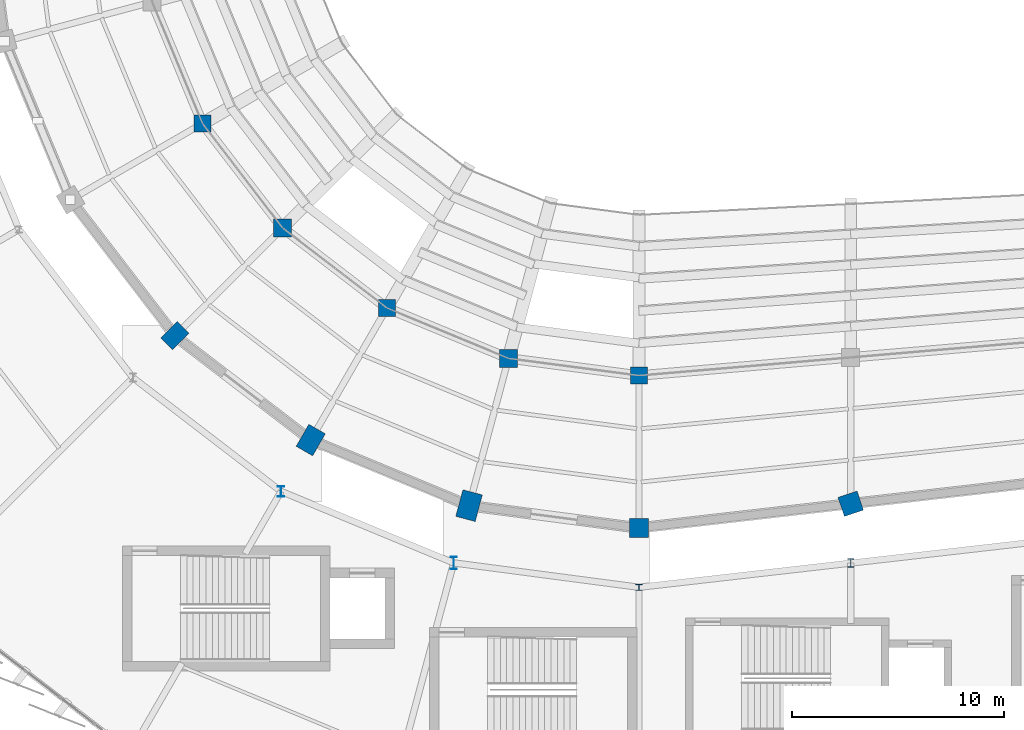
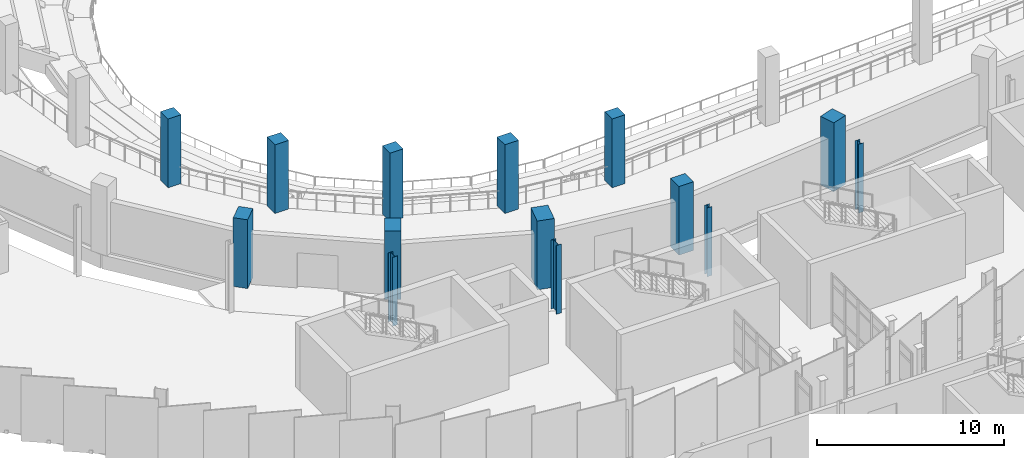
# One storey, part 8 of 134: 14 columns.
"""IFC4 building model written with IfcOpenShell, lengths in metres."""

from ifc_helpers import new_model, si_unit, direction, frame, origin, origin_2d, place, context, subcontext, project, spatial, rectangle, i_section, extrude, material, material_profile, profile_set, type_object, element, save


model = new_model("IFC4")

# Units and contexts
model_context = context("Model", 3, precision=1e-05, world=origin(), true_north=direction((0.0, 1.0)))
body_context = subcontext(model_context, "Body", "Model", "MODEL_VIEW")
ifc_project = project(units=[si_unit("LENGTHUNIT", "METRE"), si_unit("AREAUNIT", "SQUARE_METRE"), si_unit("VOLUMEUNIT", "CUBIC_METRE"), si_unit("PLANEANGLEUNIT", "RADIAN"), si_unit("MASSUNIT", "GRAM", prefix="KILO")], contexts=[model_context])

# Site, building, storey
site_placement = place(None, origin())
site = spatial("IfcSite", under=ifc_project, at=site_placement, CompositionType="ELEMENT")
building_placement = place(site_placement, origin())
building = spatial("IfcBuilding", under=site, at=building_placement, Name="Sohan Crest Arena", CompositionType="ELEMENT")
storey_placement = place(building_placement, frame((0.0, 0.0, 4.5)))
storey = spatial("IfcBuildingStorey", under=building, at=storey_placement, Name="L01", CompositionType="ELEMENT", Elevation=4.5)

# Columns
ifc_material_1 = material(Name="Concrete C40/50", Category="concrete")
ifc_material_profile_1 = material_profile(ifc_material_1, rectangle(XDim=0.800048828125, YDim=0.800048828125, at=origin_2d()), Name="RC 800x800")
ifc_profile_set_1 = profile_set([ifc_material_profile_1], Name="Concrete C40/50")
column_type_1 = type_object("IfcColumnType", Name="STR-COL-C05", PredefinedType="COLUMN", material=ifc_profile_set_1)
for number, where, z_axis, x_axis, name in (
    (1, (77.388916015625, 66.10009765625, 0.0), (0.0, 0.0, 1.0), (1.0, 0.0, 0.0), "Structural column COL-V1M-09-L01"),
    (2, (86.10009765625, 57.388916015625, 0.0), (0.0, 0.0, 1.0), (1.0, 0.0, 0.0), "Structural column COL-V1M-11-L01"),
    (3, (98.0, 54.199951171875, 0.0), (0.0, 0.0, 1.0), (1.0, 0.0, 0.0), "Structural column COL-V1M-13-L01"),
):
    element("IfcColumn", number, at=place(storey_placement, frame(where, z_axis=z_axis, x_axis=x_axis)), inside=storey, type_object=column_type_1, Name=name, PredefinedType="COLUMN", context=body_context, shape_type="SweptSolid", body=[
        extrude(rectangle(XDim=0.800048828125, YDim=0.800048828125, at=origin_2d()), origin(), (0.0, 0.0, 1.0), 4.5),
    ])
ifc_material_profile_2 = material_profile(ifc_material_1, rectangle(XDim=0.85009765625, YDim=0.85009765625, at=origin_2d()), Name="RC 850x850")
ifc_profile_set_2 = profile_set([ifc_material_profile_2], Name="Concrete C40/50")
column_type_2 = type_object("IfcColumnType", Name="STR-COL-C06", PredefinedType="COLUMN", material=ifc_profile_set_2)
for number, where, z_axis, x_axis, name in (
    (4, (81.1708984375, 61.1708984375, 0.0), (0.0, 0.0, 1.0), (1.0, 0.0, 0.0), "Structural column COL-V1M-10-L01"),
    (5, (91.840087890625, 55.010986328125, 0.0), (0.0, 0.0, 1.0), (1.0, 0.0, 0.0), "Structural column COL-V1M-12-L01"),
):
    element("IfcColumn", number, at=place(storey_placement, frame(where, z_axis=z_axis, x_axis=x_axis)), inside=storey, type_object=column_type_2, Name=name, PredefinedType="COLUMN", context=body_context, shape_type="SweptSolid", body=[
        extrude(rectangle(XDim=0.85009765625, YDim=0.85009765625, at=origin_2d()), origin(), (0.0, 0.0, 1.0), 4.5),
    ])
ifc_material_profile_3 = material_profile(ifc_material_1, rectangle(XDim=0.89990234375, YDim=0.89990234375, at=origin_2d()), Name="RC 900x900")
ifc_profile_set_3 = profile_set([ifc_material_profile_3], Name="Concrete C40/50")
column_type_3 = type_object("IfcColumnType", Name="STR-COL-C07", PredefinedType="COLUMN", material=ifc_profile_set_3)
column_1_placement = place(storey_placement, frame((98.0, 47.0, 0.0), z_axis=(0.0, 0.0, 1.0), x_axis=(0.0, 1.0, 0.0)))
element("IfcColumn", 6, at=column_1_placement, inside=storey, type_object=column_type_3, Name="Structural column COL-V1R-13-L01", PredefinedType="COLUMN", context=body_context, shape_type="SweptSolid", body=[
    extrude(rectangle(XDim=0.89990234375, YDim=0.89990234375, at=origin_2d()), origin(), (0.0, 0.0, 1.0), 4.5),
])
ifc_material_profile_4 = material_profile(ifc_material_1, rectangle(XDim=0.949951171875, YDim=0.949951171875, at=origin_2d()), Name="RC 950x950")
ifc_profile_set_4 = profile_set([ifc_material_profile_4], Name="Concrete C40/50")
column_type_4 = type_object("IfcColumnType", Name="STR-COL-C08", PredefinedType="COLUMN", material=ifc_profile_set_4)
column_2_placement = place(storey_placement, frame((108.0, 48.14306640625, 0.0), z_axis=(0.0, 0.0, 1.0), x_axis=(-0.317304656405, 0.948323655206, 0.0)))
element("IfcColumn", 7, at=column_2_placement, inside=storey, type_object=column_type_4, Name="Structural column COL-V1R-14-L01", PredefinedType="COLUMN", context=body_context, shape_type="SweptSolid", body=[
    extrude(rectangle(XDim=0.949951171875, YDim=0.949951171875, at=origin_2d()), origin(), (0.0, 0.0, 1.0), 4.5),
])
ifc_material_profile_5 = material_profile(ifc_material_1, rectangle(XDim=1.10009765625, YDim=0.800048828125, at=origin_2d()), Name="RC 1100x800")
ifc_profile_set_5 = profile_set([ifc_material_profile_5], Name="Concrete C40/50")
column_type_5 = type_object("IfcColumnType", Name="STR-COL-C10", PredefinedType="COLUMN", material=ifc_profile_set_5)
column_3_placement = place(storey_placement, frame((76.080078125, 56.080078125, 0.0), z_axis=(0.0, 0.0, 1.0), x_axis=(0.707106781187, 0.707106781187, 0.0)))
element("IfcColumn", 8, at=column_3_placement, inside=storey, type_object=column_type_5, Name="Structural column COL-V1R-10-L01", PredefinedType="COLUMN", context=body_context, shape_type="SweptSolid", body=[
    extrude(rectangle(XDim=1.10009765625, YDim=0.800048828125, at=origin_2d()), origin(), (0.0, 0.0, 1.0), 4.5),
])
ifc_material_profile_6 = material_profile(ifc_material_1, rectangle(XDim=1.199951171875, YDim=0.89990234375, at=origin_2d()), Name="RC 1200x900")
ifc_profile_set_6 = profile_set([ifc_material_profile_6], Name="Concrete C40/50")
column_type_6 = type_object("IfcColumnType", Name="STR-COL-C11", PredefinedType="COLUMN", material=ifc_profile_set_6)
column_4_placement = place(storey_placement, frame((82.5, 51.153076171875, 0.0), z_axis=(0.0, 0.0, 1.0), x_axis=(0.5, 0.866025403784, 0.0)))
element("IfcColumn", 9, at=column_4_placement, inside=storey, type_object=column_type_6, Name="Structural column COL-V1R-11-L01", PredefinedType="COLUMN", context=body_context, shape_type="SweptSolid", body=[
    extrude(rectangle(XDim=1.199951171875, YDim=0.89990234375, at=origin_2d()), origin(), (0.0, 0.0, 1.0), 4.5),
])
ifc_material_profile_7 = material_profile(ifc_material_1, rectangle(XDim=1.300048828125, YDim=0.949951171875, at=origin_2d()), Name="RC 1300x950")
ifc_profile_set_7 = profile_set([ifc_material_profile_7], Name="Concrete C40/50")
column_type_7 = type_object("IfcColumnType", Name="STR-COL-C12", PredefinedType="COLUMN", material=ifc_profile_set_7)
column_5_placement = place(storey_placement, frame((89.97705078125, 48.055908203125, 0.0), z_axis=(0.0, 0.0, 1.0), x_axis=(0.258819045103, 0.965925826289, 0.0)))
element("IfcColumn", 10, at=column_5_placement, inside=storey, type_object=column_type_7, Name="Structural column COL-V1R-12-L01", PredefinedType="COLUMN", context=body_context, shape_type="SweptSolid", body=[
    extrude(rectangle(XDim=1.300048828125, YDim=0.949951171875, at=origin_2d()), origin(), (0.0, 0.0, 1.0), 4.5),
])
ifc_material_2 = material(Name="Steel S355", Category="steel")
ifc_material_profile_8 = material_profile(ifc_material_2, i_section(OverallWidth=0.300048828125, OverallDepth=0.300048828125, WebThickness=0.010986328125, FlangeThickness=0.01904296875, at=origin_2d()), Name="HEB 300")
ifc_profile_set_8 = profile_set([ifc_material_profile_8], Name="Steel S355")
column_type_8 = type_object("IfcColumnType", Name="STR-COL-C17", PredefinedType="COLUMN", material=ifc_profile_set_8)
column_6_placement = place(storey_placement, frame((98.0, 44.199951171875, 0.0), z_axis=(0.0, 0.0, 1.0), x_axis=(1.0, 0.0, 0.0)))
element("IfcColumn", 11, at=column_6_placement, inside=storey, type_object=column_type_8, Name="Structural column COL-V2I-13-L01", PredefinedType="COLUMN", context=body_context, shape_type="SweptSolid", body=[
    extrude(i_section(OverallWidth=0.300048828125, OverallDepth=0.300048828125, WebThickness=0.010986328125, FlangeThickness=0.01904296875, at=origin_2d()), origin(), (0.0, 0.0, 1.0), 4.5),
])
ifc_material_profile_9 = material_profile(ifc_material_2, i_section(OverallWidth=0.300048828125, OverallDepth=0.39990234375, WebThickness=0.013427734375, FlangeThickness=0.02392578125, at=origin_2d()), Name="HEB 400")
ifc_profile_set_9 = profile_set([ifc_material_profile_9], Name="Steel S355")
column_type_9 = type_object("IfcColumnType", Name="STR-COL-C18", PredefinedType="COLUMN", material=ifc_profile_set_9)
column_7_placement = place(storey_placement, frame((108.0, 45.343017578125, 0.0), z_axis=(0.0, 0.0, 1.0), x_axis=(1.0, 0.0, 0.0)))
element("IfcColumn", 12, at=column_7_placement, inside=storey, type_object=column_type_9, Name="Structural column COL-V2I-14-L01", PredefinedType="COLUMN", context=body_context, shape_type="SweptSolid", body=[
    extrude(i_section(OverallWidth=0.300048828125, OverallDepth=0.39990234375, WebThickness=0.013427734375, FlangeThickness=0.02392578125, at=origin_2d()), origin(), (0.0, 0.0, 1.0), 4.5),
])
ifc_material_profile_10 = material_profile(ifc_material_2, i_section(OverallWidth=0.300048828125, OverallDepth=0.5, WebThickness=0.014404296875, FlangeThickness=0.028076171875, at=origin_2d()), Name="HEB 500")
ifc_profile_set_10 = profile_set([ifc_material_profile_10], Name="Steel S355")
column_type_10 = type_object("IfcColumnType", Name="STR-COL-C19", PredefinedType="COLUMN", material=ifc_profile_set_10)
column_8_placement = place(storey_placement, frame((81.10009765625, 48.72802734375, 0.0), z_axis=(0.0, 0.0, 1.0), x_axis=(1.0, 0.0, 0.0)))
element("IfcColumn", 13, at=column_8_placement, inside=storey, type_object=column_type_10, Name="Structural column COL-V2I-11-L01", PredefinedType="COLUMN", context=body_context, shape_type="SweptSolid", body=[
    extrude(i_section(OverallWidth=0.300048828125, OverallDepth=0.5, WebThickness=0.014404296875, FlangeThickness=0.028076171875, at=origin_2d()), origin(), (0.0, 0.0, 1.0), 4.5),
])
ifc_material_profile_11 = material_profile(ifc_material_2, i_section(OverallWidth=0.300048828125, OverallDepth=0.60009765625, WebThickness=0.015380859375, FlangeThickness=0.030029296875, at=origin_2d()), Name="HEB 600")
ifc_profile_set_11 = profile_set([ifc_material_profile_11], Name="Steel S355")
column_type_11 = type_object("IfcColumnType", Name="STR-COL-C20", PredefinedType="COLUMN", material=ifc_profile_set_11)
column_9_placement = place(storey_placement, frame((89.251953125, 45.35205078125, 0.0), z_axis=(0.0, 0.0, 1.0), x_axis=(1.0, 0.0, 0.0)))
element("IfcColumn", 14, at=column_9_placement, inside=storey, type_object=column_type_11, Name="Structural column COL-V2I-12-L01", PredefinedType="COLUMN", context=body_context, shape_type="SweptSolid", body=[
    extrude(i_section(OverallWidth=0.300048828125, OverallDepth=0.60009765625, WebThickness=0.015380859375, FlangeThickness=0.030029296875, at=origin_2d()), origin(), (0.0, 0.0, 1.0), 4.5),
])

save(model, "model.ifc")
